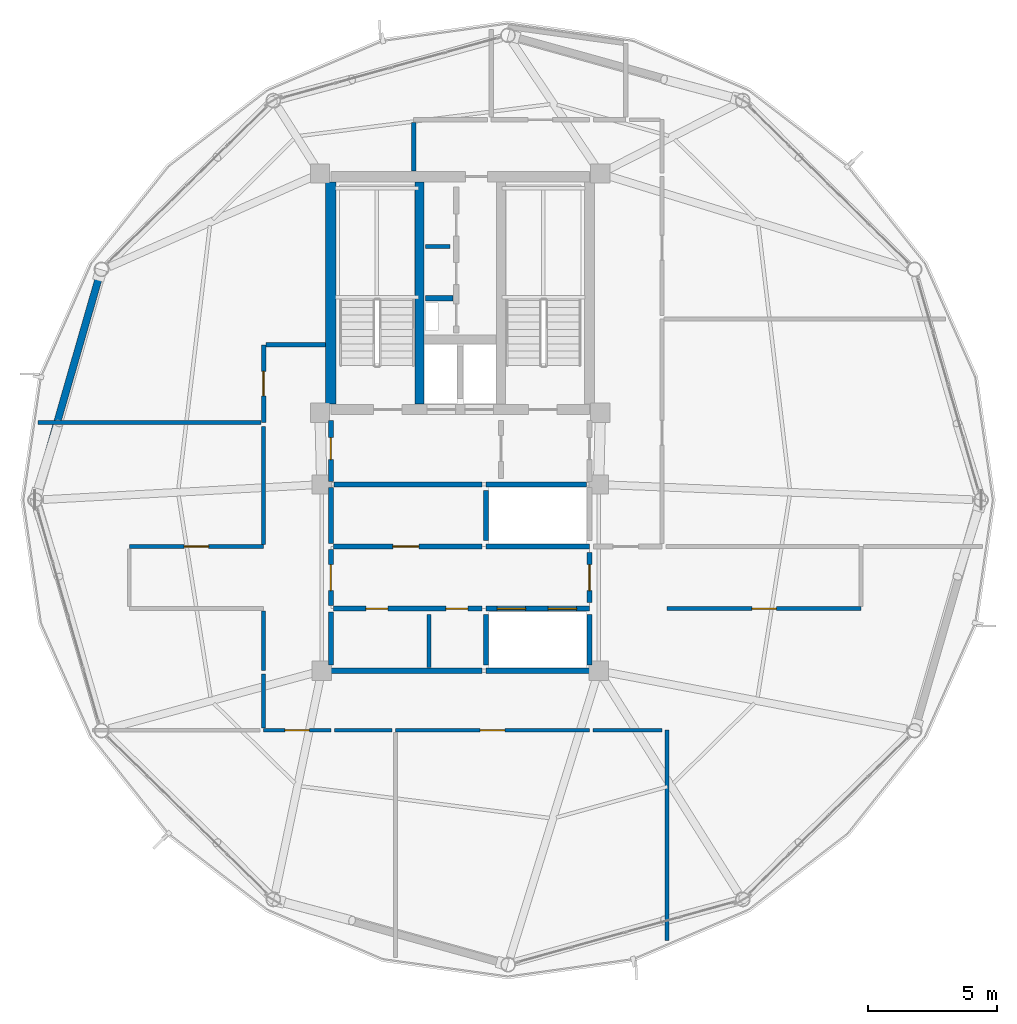
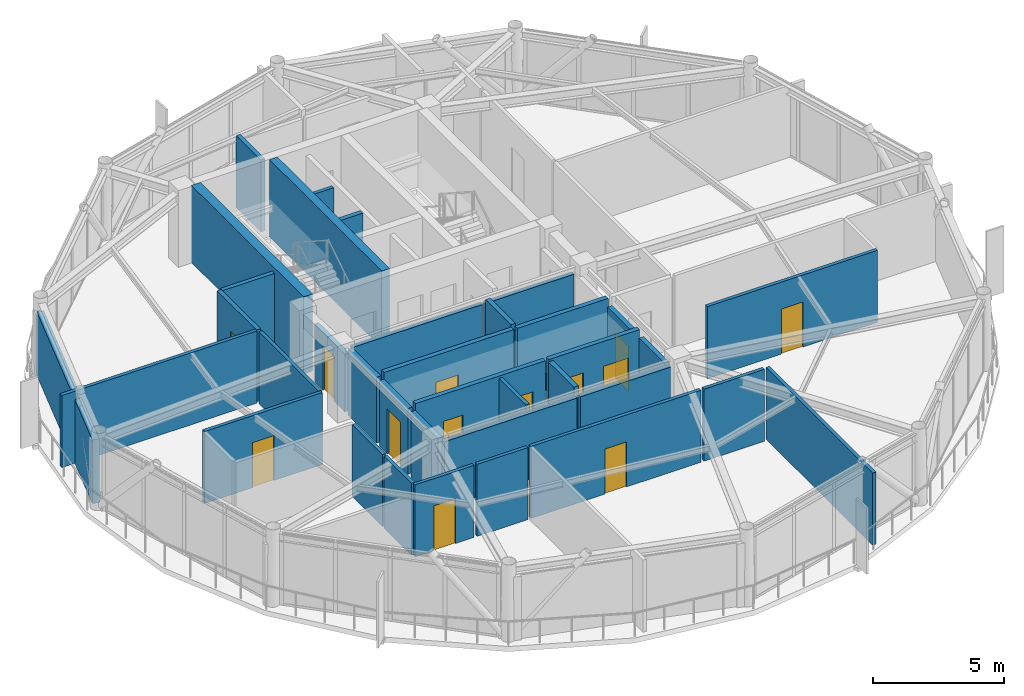
# One storey, part 20 of 25: 36 walls, 13 doors, 13 openings.
"""IFC4 building model written with IfcOpenShell, lengths in metres."""

from ifc_helpers import new_model, si_unit, direction, frame, frame_2d, origin, place, context, subcontext, project, spatial, rectangle, extrude, material, layer, layer_set, type_object, element, fill, save


model = new_model("IFC4")

# Units and contexts
model_context = context("Model", 3, precision=1e-05, world=origin(), true_north=direction((0.0, 1.0)))
body_context = subcontext(model_context, "Body", "Model", "MODEL_VIEW")
ifc_project = project(units=[si_unit("LENGTHUNIT", "METRE"), si_unit("AREAUNIT", "SQUARE_METRE"), si_unit("VOLUMEUNIT", "CUBIC_METRE"), si_unit("PLANEANGLEUNIT", "RADIAN"), si_unit("MASSUNIT", "GRAM", prefix="KILO")], contexts=[model_context])

# Site, building, storey
site_placement = place(None, origin())
site = spatial("IfcSite", under=ifc_project, at=site_placement, CompositionType="ELEMENT")
building_placement = place(site_placement, origin())
building = spatial("IfcBuilding", under=site, at=building_placement, Name="Varnakorn Sky Granary", CompositionType="ELEMENT")
storey_placement = place(building_placement, frame((0.0, 0.0, 259.800048828125)))
storey = spatial("IfcBuildingStorey", under=building, at=storey_placement, Name="L66", CompositionType="ELEMENT", Elevation=259.800048828125)

# Walls
ifc_material_1 = material(Name="Concrete C50/60", Category="concrete")
ifc_layer_1 = layer(ifc_material_1, 0.35009765625, Name="Concrete C50/60")
ifc_layer_set_1 = layer_set([ifc_layer_1], Name="Concrete C50/60")
wall_type_1 = type_object("IfcWallType", Name="WT-CW-INT-350", PredefinedType="SHEAR", material=ifc_layer_set_1)
wall_1_placement = place(storey_placement, frame((1.419921875, 3.7099609375, 0.0), z_axis=(0.0, 0.0, 1.0), x_axis=(0.0, 1.0, 0.0)))
element("IfcWall", 1, at=wall_1_placement, inside=storey, type_object=wall_type_1, Name="Stair ST-1 Core Wall L66", PredefinedType="SHEAR", context=body_context, shape_type="SweptSolid", body=[
    extrude(rectangle(XDim=8.580078125, YDim=0.35009765625, at=frame_2d((4.2900390625, 0.0))), origin(), (0.0, 0.0, 1.0), 3.592041015625),
])
ifc_layer_2 = layer(ifc_material_1, 0.39990234375, Name="Concrete C50/60")
ifc_layer_set_2 = layer_set([ifc_layer_2], Name="Concrete C50/60")
wall_type_2 = type_object("IfcWallType", Name="WT-CW-SHEAR-400", PredefinedType="SHEAR", material=ifc_layer_set_2)
wall_2_placement = place(storey_placement, frame((-2.0, 3.7099609375, 0.0), z_axis=(0.0, 0.0, 1.0), x_axis=(0.0, 1.0, 0.0)))
element("IfcWall", 2, at=wall_2_placement, inside=storey, type_object=wall_type_2, Name="Core West Shear Wall L66", PredefinedType="SHEAR", context=body_context, shape_type="SweptSolid", body=[
    extrude(rectangle(XDim=8.580078125, YDim=0.39990234375, at=frame_2d((4.2900390625, 0.0))), origin(), (0.0, 0.0, 1.0), 3.592041015625),
])
ifc_material_2 = material(Name="Precast concrete C40/50", Category="concrete")
ifc_layer_3 = layer(ifc_material_2, 0.280029296875, Name="Precast concrete C40/50")
ifc_layer_set_3 = layer_set([ifc_layer_3], Name="Precast concrete C40/50")
wall_type_3 = type_object("IfcWallType", Name="WT-EW-CRN-280", PredefinedType="SOLIDWALL", material=ifc_layer_set_3)
wall_3_placement = place(storey_placement, frame((-13.377197265625, 0.225341796875, 0.0), z_axis=(0.0, 0.0, 1.0), x_axis=(0.27668936902, 0.960959412812, 0.0)))
element("IfcWall", 3, at=wall_3_placement, inside=storey, type_object=wall_type_3, Name="Agritech Insulated Precast Facade Wall L66-P06", PredefinedType="SOLIDWALL", context=body_context, shape_type="SweptSolid", body=[
    extrude(rectangle(XDim=8.811279296875, YDim=0.280029296875, at=frame_2d((4.40576171875, 0.0))), origin(), (0.0, 0.0, 1.0), 2.969970703125),
])

# Wall, opening, door
ifc_material_3 = material(Name="Autoclaved Aerated Concrete Blockwork", Category="masonry")
ifc_layer_4 = layer(ifc_material_3, 0.199951171875, Name="Autoclaved Aerated Concrete Blockwork")
ifc_layer_set_4 = layer_set([ifc_layer_4], Name="Autoclaved Aerated Concrete Blockwork")
wall_type_4 = type_object("IfcWallType", Name="WT-FIRE-200", PredefinedType="MOVABLE", material=ifc_layer_set_4)
wall_4_placement = place(storey_placement, frame((-2.0, 0.719970703125, 0.0), z_axis=(0.0, 0.0, 1.0), x_axis=(0.0, 1.0, 0.0)))
wall_4 = element("IfcWall", 4, at=wall_4_placement, inside=storey, type_object=wall_type_4, Name="Interior Partition Wall L66-013", PredefinedType="MOVABLE", context=body_context, shape_type="SweptSolid", body=[
    extrude(rectangle(XDim=2.35009765625, YDim=0.199951171875, at=frame_2d((1.175048828125, 0.0))), origin(), (0.0, 0.0, 1.0), 2.69189453125),
])
opening_1_placement = place(wall_4_placement, frame((0.844970703125, 0.0, 0.0)))
opening_1 = element("IfcOpeningElement", 5, at=opening_1_placement, cuts=wall_4, Name="Opening FD-60N", PredefinedType="OPENING", context=body_context, shape_type="SweptSolid", body=[
    extrude(rectangle(XDim=0.85009765625, YDim=2.10009765625, at=frame_2d((0.425048828125, 1.050048828125))), frame((0.0, 0.10986328125, 0.0), z_axis=(0.0, -1.0, 0.0), x_axis=(1.0, 0.0, 0.0)), (0.0, 0.0, 1.0), 0.219970703125),
])
ifc_material_4 = material(Name="Acoustic Timber Fire Leaf", Category="wood")
door_type_1 = type_object("IfcDoorType", Name="DR-FD60-850", OperationType="NOTDEFINED", PredefinedType="DOOR", material=ifc_material_4)
door_1_placement = place(opening_1_placement, origin())
door_1 = element("IfcDoor", 6, at=door_1_placement, inside=storey, type_object=door_type_1, Name="Interior Door L66-013-1", OperationType="SINGLE_SWING_RIGHT", OverallHeight=2.10009765625, OverallWidth=0.85009765625, PredefinedType="DOOR", context=body_context, shape_type="SweptSolid", body=[
    extrude(rectangle(XDim=0.85009765625, YDim=2.10009765625, at=frame_2d((0.425048828125, 1.050048828125))), frame((0.0, 0.02490234375, 0.0), z_axis=(0.0, -1.0, 0.0), x_axis=(1.0, 0.0, 0.0)), (0.0, 0.0, 1.0), 0.050048828125),
])
fill(opening_1, door_1)

wall_5_placement = place(storey_placement, frame((-2.0, -4.080078125, 0.0), z_axis=(0.0, 0.0, 1.0), x_axis=(0.0, 1.0, 0.0)))
wall_5 = element("IfcWall", 7, at=wall_5_placement, inside=storey, type_object=wall_type_4, Name="Interior Partition Wall L66-015", PredefinedType="MOVABLE", context=body_context, shape_type="SweptSolid", body=[
    extrude(rectangle(XDim=2.16015625, YDim=0.199951171875, at=frame_2d((1.080078125, 0.0))), origin(), (0.0, 0.0, 1.0), 3.072021484375),
])
opening_2_placement = place(wall_5_placement, frame((0.580078125, 0.0, 0.0)))
opening_2 = element("IfcOpeningElement", 8, at=opening_2_placement, cuts=wall_5, Name="Opening FD-60", PredefinedType="OPENING", context=body_context, shape_type="SweptSolid", body=[
    extrude(rectangle(XDim=1.0, YDim=2.10009765625, at=frame_2d((0.5, 1.050048828125))), frame((0.0, 0.10986328125, 0.0), z_axis=(0.0, -1.0, 0.0), x_axis=(1.0, 0.0, 0.0)), (0.0, 0.0, 1.0), 0.219970703125),
])
door_type_2 = type_object("IfcDoorType", Name="DR-FD60-1000", OperationType="NOTDEFINED", PredefinedType="DOOR", material=ifc_material_4)
door_2_placement = place(opening_2_placement, origin())
door_2 = element("IfcDoor", 9, at=door_2_placement, inside=storey, type_object=door_type_2, Name="Interior Door L66-015-1", OperationType="SINGLE_SWING_RIGHT", OverallHeight=2.10009765625, OverallWidth=1.0, PredefinedType="DOOR", context=body_context, shape_type="SweptSolid", body=[
    extrude(rectangle(XDim=1.0, YDim=2.10009765625, at=frame_2d((0.5, 1.050048828125))), frame((0.0, 0.02490234375, 0.0), z_axis=(0.0, -1.0, 0.0), x_axis=(1.0, 0.0, 0.0)), (0.0, 0.0, 1.0), 0.050048828125),
])
fill(opening_2, door_2)

wall_6_placement = place(storey_placement, frame((8.0, -3.969970703125, 0.0), z_axis=(0.0, 0.0, 1.0), x_axis=(0.0, 1.0, 0.0)))
wall_6 = element("IfcWall", 10, at=wall_6_placement, inside=storey, type_object=wall_type_4, Name="Interior Partition Wall L66-016", PredefinedType="MOVABLE", context=body_context, shape_type="SweptSolid", body=[
    extrude(rectangle(XDim=1.93994140625, YDim=0.199951171875, at=frame_2d((0.969970703125, 0.0))), origin(), (0.0, 0.0, 1.0), 3.072021484375),
])
opening_3_placement = place(wall_6_placement, frame((0.469970703125, 0.0, 0.0)))
opening_3 = element("IfcOpeningElement", 11, at=opening_3_placement, cuts=wall_6, Name="Opening FD-60", PredefinedType="OPENING", context=body_context, shape_type="SweptSolid", body=[
    extrude(rectangle(XDim=1.0, YDim=2.10009765625, at=frame_2d((0.5, 1.050048828125))), frame((0.0, 0.10986328125, 0.0), z_axis=(0.0, -1.0, 0.0), x_axis=(1.0, 0.0, 0.0)), (0.0, 0.0, 1.0), 0.219970703125),
])
door_3_placement = place(opening_3_placement, origin())
door_3 = element("IfcDoor", 12, at=door_3_placement, inside=storey, type_object=door_type_2, Name="Interior Door L66-016-1", OperationType="SINGLE_SWING_LEFT", OverallHeight=2.10009765625, OverallWidth=1.0, PredefinedType="DOOR", context=body_context, shape_type="SweptSolid", body=[
    extrude(rectangle(XDim=1.0, YDim=2.10009765625, at=frame_2d((0.5, 1.050048828125))), frame((0.0, 0.02490234375, 0.0), z_axis=(0.0, -1.0, 0.0), x_axis=(1.0, 0.0, 0.0)), (0.0, 0.0, 1.0), 0.050048828125),
])
fill(opening_3, door_3)

wall_7_placement = place(storey_placement, frame((-1.889892578125, -1.800048828125, 0.0), z_axis=(0.0, 0.0, 1.0), x_axis=(1.0, 0.0, 0.0)))
wall_7 = element("IfcWall", 13, at=wall_7_placement, inside=storey, type_object=wall_type_4, Name="Interior Partition Wall L66-017", PredefinedType="MOVABLE", context=body_context, shape_type="SweptSolid", body=[
    extrude(rectangle(XDim=5.72998046875, YDim=0.199951171875, at=frame_2d((2.864990234375, 0.0))), origin(), (0.0, 0.0, 1.0), 3.35986328125),
])
opening_4_placement = place(wall_7_placement, frame((2.2900390625, 0.0, 0.0)))
opening_4 = element("IfcOpeningElement", 14, at=opening_4_placement, cuts=wall_7, Name="Opening FD-60", PredefinedType="OPENING", context=body_context, shape_type="SweptSolid", body=[
    extrude(rectangle(XDim=1.0, YDim=2.10009765625, at=frame_2d((0.5, 1.050048828125))), frame((0.0, 0.10986328125, 0.0), z_axis=(0.0, -1.0, 0.0), x_axis=(1.0, 0.0, 0.0)), (0.0, 0.0, 1.0), 0.219970703125),
])
door_4_placement = place(opening_4_placement, origin())
door_4 = element("IfcDoor", 15, at=door_4_placement, inside=storey, type_object=door_type_2, Name="Interior Door L66-017-1", OperationType="SINGLE_SWING_RIGHT", OverallHeight=2.10009765625, OverallWidth=1.0, PredefinedType="DOOR", context=body_context, shape_type="SweptSolid", body=[
    extrude(rectangle(XDim=1.0, YDim=2.10009765625, at=frame_2d((0.5, 1.050048828125))), frame((0.0, 0.02490234375, 0.0), z_axis=(0.0, -1.0, 0.0), x_axis=(1.0, 0.0, 0.0)), (0.0, 0.0, 1.0), 0.050048828125),
])
fill(opening_4, door_4)

# Wall, openings, doors
wall_8_placement = place(storey_placement, frame((-1.889892578125, -4.199951171875, 0.0), z_axis=(0.0, 0.0, 1.0), x_axis=(1.0, 0.0, 0.0)))
wall_8 = element("IfcWall", 16, at=wall_8_placement, inside=storey, type_object=wall_type_4, Name="Interior Partition Wall L66-018", PredefinedType="MOVABLE", context=body_context, shape_type="SweptSolid", body=[
    extrude(rectangle(XDim=5.72998046875, YDim=0.199951171875, at=frame_2d((2.864990234375, 0.0))), origin(), (0.0, 0.0, 1.0), 3.35986328125),
])
opening_5_placement = place(wall_8_placement, frame((1.239990234375, 0.0, 0.0)))
opening_5 = element("IfcOpeningElement", 17, at=opening_5_placement, cuts=wall_8, Name="Opening FD-60N", PredefinedType="OPENING", context=body_context, shape_type="SweptSolid", body=[
    extrude(rectangle(XDim=0.85009765625, YDim=2.10009765625, at=frame_2d((0.425048828125, 1.050048828125))), frame((0.0, 0.10986328125, 0.0), z_axis=(0.0, -1.0, 0.0), x_axis=(1.0, 0.0, 0.0)), (0.0, 0.0, 1.0), 0.219970703125),
])
opening_6_placement = place(wall_8_placement, frame((4.340087890625, 0.0, 0.0)))
opening_6 = element("IfcOpeningElement", 18, at=opening_6_placement, cuts=wall_8, Name="Opening FD-60N", PredefinedType="OPENING", context=body_context, shape_type="SweptSolid", body=[
    extrude(rectangle(XDim=0.85009765625, YDim=2.10009765625, at=frame_2d((0.425048828125, 1.050048828125))), frame((0.0, 0.10986328125, 0.0), z_axis=(0.0, -1.0, 0.0), x_axis=(1.0, 0.0, 0.0)), (0.0, 0.0, 1.0), 0.219970703125),
])
door_5_placement = place(opening_5_placement, origin())
door_5 = element("IfcDoor", 19, at=door_5_placement, inside=storey, type_object=door_type_1, Name="Interior Door L66-018-1", OperationType="SINGLE_SWING_LEFT", OverallHeight=2.10009765625, OverallWidth=0.85009765625, PredefinedType="DOOR", context=body_context, shape_type="SweptSolid", body=[
    extrude(rectangle(XDim=0.85009765625, YDim=2.10009765625, at=frame_2d((0.425048828125, 1.050048828125))), frame((0.0, 0.02490234375, 0.0), z_axis=(0.0, -1.0, 0.0), x_axis=(1.0, 0.0, 0.0)), (0.0, 0.0, 1.0), 0.050048828125),
])
fill(opening_5, door_5)
door_6_placement = place(opening_6_placement, origin())
door_6 = element("IfcDoor", 20, at=door_6_placement, inside=storey, type_object=door_type_1, Name="Interior Door L66-018-2", OperationType="SINGLE_SWING_RIGHT", OverallHeight=2.10009765625, OverallWidth=0.85009765625, PredefinedType="DOOR", context=body_context, shape_type="SweptSolid", body=[
    extrude(rectangle(XDim=0.85009765625, YDim=2.10009765625, at=frame_2d((0.425048828125, 1.050048828125))), frame((0.0, 0.02490234375, 0.0), z_axis=(0.0, -1.0, 0.0), x_axis=(1.0, 0.0, 0.0)), (0.0, 0.0, 1.0), 0.050048828125),
])
fill(opening_6, door_6)

# Walls
wall_9_placement = place(storey_placement, frame((-1.8798828125, 0.60009765625, 0.0), z_axis=(0.0, 0.0, 1.0), x_axis=(1.0, 0.0, 0.0)))
element("IfcWall", 21, at=wall_9_placement, inside=storey, type_object=wall_type_4, Name="Interior Partition Wall L66-029", PredefinedType="MOVABLE", context=body_context, shape_type="SweptSolid", body=[
    extrude(rectangle(XDim=5.719970703125, YDim=0.199951171875, at=frame_2d((2.85986328125, 0.0))), origin(), (0.0, 0.0, 1.0), 3.072021484375),
])
wall_10_placement = place(storey_placement, frame((-2.0, -1.679931640625, 0.0), z_axis=(0.0, 0.0, 1.0), x_axis=(0.0, 1.0, 0.0)))
element("IfcWall", 22, at=wall_10_placement, inside=storey, type_object=wall_type_4, Name="Interior Partition Wall L66-030", PredefinedType="MOVABLE", context=body_context, shape_type="SweptSolid", body=[
    extrude(rectangle(XDim=2.159912109375, YDim=0.199951171875, at=frame_2d((1.080078125, 0.0))), origin(), (0.0, 0.0, 1.0), 3.072021484375),
])
wall_11_placement = place(storey_placement, frame((-2.0, -6.60009765625, 0.0), z_axis=(0.0, 0.0, 1.0), x_axis=(1.0, 0.0, 0.0)))
element("IfcWall", 23, at=wall_11_placement, inside=storey, type_object=wall_type_4, Name="Interior Partition Wall L66-032", PredefinedType="MOVABLE", context=body_context, shape_type="SweptSolid", body=[
    extrude(rectangle(XDim=5.840087890625, YDim=0.199951171875, at=frame_2d((2.919921875, 0.0))), origin(), (0.0, 0.0, 1.0), 3.072021484375),
])
wall_12_placement = place(storey_placement, frame((-2.0, -6.3701171875, 0.0), z_axis=(0.0, 0.0, 1.0), x_axis=(0.0, 1.0, 0.0)))
element("IfcWall", 24, at=wall_12_placement, inside=storey, type_object=wall_type_4, Name="Interior Partition Wall L66-033", PredefinedType="MOVABLE", context=body_context, shape_type="SweptSolid", body=[
    extrude(rectangle(XDim=2.050048828125, YDim=0.199951171875, at=frame_2d((1.02490234375, 0.0))), origin(), (0.0, 0.0, 1.0), 3.072021484375),
])

# Wall, opening, door
ifc_material_5 = material(Name="Gypsum Plasterboard on Steel Stud", Category="steel")
ifc_layer_5 = layer(ifc_material_5, 0.14990234375, Name="Gypsum Plasterboard on Steel Stud")
ifc_layer_set_5 = layer_set([ifc_layer_5], Name="Gypsum Plasterboard on Steel Stud")
wall_type_5 = type_object("IfcWallType", Name="WT-PART-150", PredefinedType="PARTITIONING", material=ifc_layer_set_5)
wall_13_placement = place(storey_placement, frame((-4.60009765625, -8.89990234375, 0.0), z_axis=(0.0, 0.0, 1.0), x_axis=(1.0, 0.0, 0.0)))
wall_13 = element("IfcWall", 25, at=wall_13_placement, inside=storey, type_object=wall_type_5, Name="Interior Partition Wall L66-021", PredefinedType="PARTITIONING", context=body_context, shape_type="SweptSolid", body=[
    extrude(rectangle(XDim=2.60009765625, YDim=0.14990234375, at=frame_2d((1.300048828125, 0.0))), origin(), (0.0, 0.0, 1.0), 3.35986328125),
])
opening_7_placement = place(wall_13_placement, frame((0.824951171875, 0.0, 0.0)))
opening_7 = element("IfcOpeningElement", 26, at=opening_7_placement, cuts=wall_13, Name="Opening ID-95", PredefinedType="OPENING", context=body_context, shape_type="SweptSolid", body=[
    extrude(rectangle(XDim=0.949951171875, YDim=2.10009765625, at=frame_2d((0.47509765625, 1.050048828125))), frame((0.0, 0.0849609375, 0.0), z_axis=(0.0, -1.0, 0.0), x_axis=(1.0, 0.0, 0.0)), (0.0, 0.0, 1.0), 0.169921875),
])
ifc_material_6 = material(Name="Solid-Core Teak Veneer Leaf", Category="timber")
door_type_3 = type_object("IfcDoorType", Name="DR-INT-950", OperationType="NOTDEFINED", PredefinedType="DOOR", material=ifc_material_6)
door_7_placement = place(opening_7_placement, origin())
door_7 = element("IfcDoor", 27, at=door_7_placement, inside=storey, type_object=door_type_3, Name="Interior Door L66-021-1", OperationType="SINGLE_SWING_LEFT", OverallHeight=2.10009765625, OverallWidth=0.949951171875, PredefinedType="DOOR", context=body_context, shape_type="SweptSolid", body=[
    extrude(rectangle(XDim=0.949951171875, YDim=2.10009765625, at=frame_2d((0.47509765625, 1.050048828125))), frame((0.0, 0.02490234375, 0.0), z_axis=(0.0, -1.0, 0.0), x_axis=(1.0, 0.0, 0.0)), (0.0, 0.0, 1.0), 0.050048828125),
])
fill(opening_7, door_7)

wall_14_placement = place(storey_placement, frame((0.5, -8.89990234375, 0.0), z_axis=(0.0, 0.0, 1.0), x_axis=(1.0, 0.0, 0.0)))
wall_14 = element("IfcWall", 28, at=wall_14_placement, inside=storey, type_object=wall_type_5, Name="Interior Partition Wall L66-022", PredefinedType="PARTITIONING", context=body_context, shape_type="SweptSolid", body=[
    extrude(rectangle(XDim=7.5, YDim=0.14990234375, at=frame_2d((3.75, 0.0))), origin(), (0.0, 0.0, 1.0), 3.35986328125),
])
opening_8_placement = place(wall_14_placement, frame((3.27490234375, 0.0, 0.0)))
opening_8 = element("IfcOpeningElement", 29, at=opening_8_placement, cuts=wall_14, Name="Opening ID-95", PredefinedType="OPENING", context=body_context, shape_type="SweptSolid", body=[
    extrude(rectangle(XDim=0.949951171875, YDim=2.10009765625, at=frame_2d((0.47509765625, 1.050048828125))), frame((0.0, 0.0849609375, 0.0), z_axis=(0.0, -1.0, 0.0), x_axis=(1.0, 0.0, 0.0)), (0.0, 0.0, 1.0), 0.169921875),
])
door_8_placement = place(opening_8_placement, origin())
door_8 = element("IfcDoor", 30, at=door_8_placement, inside=storey, type_object=door_type_3, Name="Interior Door L66-022-1", OperationType="SINGLE_SWING_RIGHT", OverallHeight=2.10009765625, OverallWidth=0.949951171875, PredefinedType="DOOR", context=body_context, shape_type="SweptSolid", body=[
    extrude(rectangle(XDim=0.949951171875, YDim=2.10009765625, at=frame_2d((0.47509765625, 1.050048828125))), frame((0.0, 0.02490234375, 0.0), z_axis=(0.0, -1.0, 0.0), x_axis=(1.0, 0.0, 0.0)), (0.0, 0.0, 1.0), 0.050048828125),
])
fill(opening_8, door_8)

wall_15_placement = place(storey_placement, frame((11.0, -4.199951171875, 0.0), z_axis=(0.0, 0.0, 1.0), x_axis=(1.0, 0.0, 0.0)))
wall_15 = element("IfcWall", 31, at=wall_15_placement, inside=storey, type_object=wall_type_5, Name="Interior Partition Wall L66-023", PredefinedType="PARTITIONING", context=body_context, shape_type="SweptSolid", body=[
    extrude(rectangle(XDim=7.5, YDim=0.14990234375, at=frame_2d((3.75, 0.0))), origin(), (0.0, 0.0, 1.0), 3.35986328125),
])
opening_9_placement = place(wall_15_placement, frame((3.27490234375, 0.0, 0.0)))
opening_9 = element("IfcOpeningElement", 32, at=opening_9_placement, cuts=wall_15, Name="Opening ID-95", PredefinedType="OPENING", context=body_context, shape_type="SweptSolid", body=[
    extrude(rectangle(XDim=0.949951171875, YDim=2.10009765625, at=frame_2d((0.47509765625, 1.050048828125))), frame((0.0, 0.0849609375, 0.0), z_axis=(0.0, -1.0, 0.0), x_axis=(1.0, 0.0, 0.0)), (0.0, 0.0, 1.0), 0.169921875),
])
door_9_placement = place(opening_9_placement, origin())
door_9 = element("IfcDoor", 33, at=door_9_placement, inside=storey, type_object=door_type_3, Name="Interior Door L66-023-1", OperationType="SINGLE_SWING_LEFT", OverallHeight=2.10009765625, OverallWidth=0.949951171875, PredefinedType="DOOR", context=body_context, shape_type="SweptSolid", body=[
    extrude(rectangle(XDim=0.949951171875, YDim=2.10009765625, at=frame_2d((0.47509765625, 1.050048828125))), frame((0.0, 0.02490234375, 0.0), z_axis=(0.0, -1.0, 0.0), x_axis=(1.0, 0.0, 0.0)), (0.0, 0.0, 1.0), 0.050048828125),
])
fill(opening_9, door_9)

wall_16_placement = place(storey_placement, frame((-4.60009765625, -1.800048828125, 0.0), z_axis=(0.0, 0.0, 1.0), x_axis=(-1.0, 0.0, 0.0)))
wall_16 = element("IfcWall", 34, at=wall_16_placement, inside=storey, type_object=wall_type_5, Name="Interior Partition Wall L66-024", PredefinedType="PARTITIONING", context=body_context, shape_type="SweptSolid", body=[
    extrude(rectangle(XDim=5.19189453125, YDim=0.14990234375, at=frame_2d((2.595947265625, 0.0))), origin(), (0.0, 0.0, 1.0), 3.35986328125),
])
opening_10_placement = place(wall_16_placement, frame((2.12109375, 0.0, 0.0)))
opening_10 = element("IfcOpeningElement", 35, at=opening_10_placement, cuts=wall_16, Name="Opening ID-95", PredefinedType="OPENING", context=body_context, shape_type="SweptSolid", body=[
    extrude(rectangle(XDim=0.949951171875, YDim=2.10009765625, at=frame_2d((0.47509765625, 1.050048828125))), frame((0.0, 0.0849609375, 0.0), z_axis=(0.0, -1.0, 0.0), x_axis=(1.0, 0.0, 0.0)), (0.0, 0.0, 1.0), 0.169921875),
])
door_10_placement = place(opening_10_placement, origin())
door_10 = element("IfcDoor", 36, at=door_10_placement, inside=storey, type_object=door_type_3, Name="Interior Door L66-024-1", OperationType="SINGLE_SWING_RIGHT", OverallHeight=2.10009765625, OverallWidth=0.949951171875, PredefinedType="DOOR", context=body_context, shape_type="SweptSolid", body=[
    extrude(rectangle(XDim=0.949951171875, YDim=2.10009765625, at=frame_2d((0.47509765625, 1.050048828125))), frame((0.0, 0.02490234375, 0.0), z_axis=(0.0, -1.0, 0.0), x_axis=(1.0, 0.0, 0.0)), (0.0, 0.0, 1.0), 0.050048828125),
])
fill(opening_10, door_10)

# Walls
wall_17_placement = place(storey_placement, frame((1.64990234375, 9.800048828125, 0.0), z_axis=(0.0, 0.0, 1.0), x_axis=(1.0, 0.0, 0.0)))
element("IfcWall", 37, at=wall_17_placement, inside=storey, type_object=wall_type_5, Name="Interior Partition Wall L66-028", PredefinedType="PARTITIONING", context=body_context, shape_type="SweptSolid", body=[
    extrude(rectangle(XDim=0.960205078125, YDim=0.14990234375, at=frame_2d((0.47998046875, 0.0))), origin(), (0.0, 0.0, 1.0), 3.35986328125),
])
wall_18_placement = place(storey_placement, frame((1.800048828125, -6.47998046875, 0.0), z_axis=(0.0, 0.0, 1.0), x_axis=(0.0, 1.0, 0.0)))
element("IfcWall", 38, at=wall_18_placement, inside=storey, type_object=wall_type_5, Name="Interior Partition Wall L66-031", PredefinedType="PARTITIONING", context=body_context, shape_type="SweptSolid", body=[
    extrude(rectangle(XDim=2.050048828125, YDim=0.14990234375, at=frame_2d((1.02490234375, 0.0))), origin(), (0.0, 0.0, 1.0), 3.35986328125),
])
wall_19_placement = place(storey_placement, frame((-1.864990234375, -8.89990234375, 0.0), z_axis=(0.0, 0.0, 1.0), x_axis=(1.0, 0.0, 0.0)))
element("IfcWall", 39, at=wall_19_placement, inside=storey, type_object=wall_type_5, Name="Interior Partition Wall L66-035", PredefinedType="PARTITIONING", context=body_context, shape_type="SweptSolid", body=[
    extrude(rectangle(XDim=2.22998046875, YDim=0.14990234375, at=frame_2d((1.114990234375, 0.0))), origin(), (0.0, 0.0, 1.0), 3.35986328125),
])
wall_20_placement = place(storey_placement, frame((8.135009765625, -8.89990234375, 0.0), z_axis=(0.0, 0.0, 1.0), x_axis=(1.0, 0.0, 0.0)))
element("IfcWall", 40, at=wall_20_placement, inside=storey, type_object=wall_type_5, Name="Interior Partition Wall L66-038", PredefinedType="PARTITIONING", context=body_context, shape_type="SweptSolid", body=[
    extrude(rectangle(XDim=2.6650390625, YDim=0.14990234375, at=frame_2d((1.33251953125, 0.0))), origin(), (0.0, 0.0, 1.0), 3.35986328125),
])
wall_21_placement = place(storey_placement, frame((11.0, -8.89990234375, 0.0), z_axis=(0.0, 0.0, 1.0), x_axis=(0.0, -1.0, 0.0)))
element("IfcWall", 41, at=wall_21_placement, inside=storey, type_object=wall_type_5, Name="Interior Partition Wall L66-039", PredefinedType="PARTITIONING", context=body_context, shape_type="SweptSolid", body=[
    extrude(rectangle(XDim=8.13720703125, YDim=0.14990234375, at=frame_2d((4.068603515625, 0.0))), origin(), (0.0, 0.0, 1.0), 3.35986328125),
])
wall_22_placement = place(storey_placement, frame((-4.60009765625, 2.85009765625, 0.0), z_axis=(0.0, 0.0, 1.0), x_axis=(0.0, -1.0, 0.0)))
element("IfcWall", 42, at=wall_22_placement, inside=storey, type_object=wall_type_5, Name="Interior Partition Wall L66-043", PredefinedType="PARTITIONING", context=body_context, shape_type="SweptSolid", body=[
    extrude(rectangle(XDim=4.565185546875, YDim=0.14990234375, at=frame_2d((2.28271484375, 0.0))), origin(), (0.0, 0.0, 1.0), 3.35986328125),
])
wall_23_placement = place(storey_placement, frame((-4.60009765625, -4.284912109375, 0.0), z_axis=(0.0, 0.0, 1.0), x_axis=(0.0, -1.0, 0.0)))
element("IfcWall", 43, at=wall_23_placement, inside=storey, type_object=wall_type_5, Name="Interior Partition Wall L66-045", PredefinedType="PARTITIONING", context=body_context, shape_type="SweptSolid", body=[
    extrude(rectangle(XDim=2.315185546875, YDim=0.14990234375, at=frame_2d((1.15771484375, 0.0))), origin(), (0.0, 0.0, 1.0), 3.35986328125),
])
wall_24_placement = place(storey_placement, frame((-4.60009765625, -6.735107421875, 0.0), z_axis=(0.0, 0.0, 1.0), x_axis=(0.0, -1.0, 0.0)))
element("IfcWall", 44, at=wall_24_placement, inside=storey, type_object=wall_type_5, Name="Interior Partition Wall L66-046", PredefinedType="PARTITIONING", context=body_context, shape_type="SweptSolid", body=[
    extrude(rectangle(XDim=2.079833984375, YDim=0.14990234375, at=frame_2d((1.0400390625, 0.0))), origin(), (0.0, 0.0, 1.0), 3.35986328125),
])
wall_25_placement = place(storey_placement, frame((-13.321044921875, 3.0, 0.0), z_axis=(0.0, 0.0, 1.0), x_axis=(1.0, 0.0, 0.0)))
element("IfcWall", 45, at=wall_25_placement, inside=storey, type_object=wall_type_5, Name="Interior Partition Wall L66-047", PredefinedType="PARTITIONING", context=body_context, shape_type="SweptSolid", body=[
    extrude(rectangle(XDim=8.62109375, YDim=0.14990234375, at=frame_2d((4.310546875, 0.0))), origin(), (0.0, 0.0, 1.0), 3.35986328125),
])

# Wall, opening, door
ifc_material_7 = material(Name="Moisture-Resistant Gypsum on Stud", Category="gypsum")
ifc_layer_6 = layer(ifc_material_7, 0.179931640625, Name="Moisture-Resistant Gypsum on Stud")
ifc_layer_set_6 = layer_set([ifc_layer_6], Name="Moisture-Resistant Gypsum on Stud")
wall_type_6 = type_object("IfcWallType", Name="WT-PLUMB-180", PredefinedType="PLUMBINGWALL", material=ifc_layer_set_6)
wall_26_placement = place(storey_placement, frame((-4.60009765625, 6.0, 0.0), z_axis=(0.0, 0.0, 1.0), x_axis=(0.0, -1.0, 0.0)))
wall_26 = element("IfcWall", 46, at=wall_26_placement, inside=storey, type_object=wall_type_6, Name="Interior Partition Wall L66-025", PredefinedType="PLUMBINGWALL", context=body_context, shape_type="SweptSolid", body=[
    extrude(rectangle(XDim=3.0, YDim=0.179931640625, at=frame_2d((1.5, 0.0))), origin(), (0.0, 0.0, 1.0), 3.35986328125),
])
opening_11_placement = place(wall_26_placement, frame((1.02490234375, 0.0, 0.0)))
opening_11 = element("IfcOpeningElement", 47, at=opening_11_placement, cuts=wall_26, Name="Opening ID-95", PredefinedType="OPENING", context=body_context, shape_type="SweptSolid", body=[
    extrude(rectangle(XDim=0.949951171875, YDim=2.10009765625, at=frame_2d((0.47509765625, 1.050048828125))), frame((0.0, 0.10009765625, 0.0), z_axis=(0.0, -1.0, 0.0), x_axis=(1.0, 0.0, 0.0)), (0.0, 0.0, 1.0), 0.199951171875),
])
door_11_placement = place(opening_11_placement, origin())
door_11 = element("IfcDoor", 48, at=door_11_placement, inside=storey, type_object=door_type_3, Name="Interior Door L66-025-1", OperationType="SINGLE_SWING_LEFT", OverallHeight=2.10009765625, OverallWidth=0.949951171875, PredefinedType="DOOR", context=body_context, shape_type="SweptSolid", body=[
    extrude(rectangle(XDim=0.949951171875, YDim=2.10009765625, at=frame_2d((0.47509765625, 1.050048828125))), frame((0.0, 0.02490234375, 0.0), z_axis=(0.0, -1.0, 0.0), x_axis=(1.0, 0.0, 0.0)), (0.0, 0.0, 1.0), 0.050048828125),
])
fill(opening_11, door_11)

# Walls
wall_27_placement = place(storey_placement, frame((-2.2099609375, 6.0, 0.0), z_axis=(0.0, 0.0, 1.0), x_axis=(-1.0, 0.0, 0.0)))
element("IfcWall", 49, at=wall_27_placement, inside=storey, type_object=wall_type_6, Name="Interior Partition Wall L66-048", PredefinedType="PLUMBINGWALL", context=body_context, shape_type="SweptSolid", body=[
    extrude(rectangle(XDim=2.2900390625, YDim=0.179931640625, at=frame_2d((1.14501953125, 0.0))), origin(), (0.0, 0.0, 1.0), 3.35986328125),
])
wall_28_placement = place(storey_placement, frame((1.199951171875, 14.60009765625, 0.0), z_axis=(0.0, 0.0, 1.0), x_axis=(0.0, -1.0, 0.0)))
element("IfcWall", 50, at=wall_28_placement, inside=storey, type_object=wall_type_6, Name="Interior Partition Wall L66-050", PredefinedType="PLUMBINGWALL", context=body_context, shape_type="SweptSolid", body=[
    extrude(rectangle(XDim=1.89013671875, YDim=0.179931640625, at=frame_2d((0.945068359375, 0.0))), origin(), (0.0, 0.0, 1.0), 3.35986328125),
])
ifc_layer_7 = layer(ifc_material_3, 0.199951171875, Name="Autoclaved Aerated Concrete Blockwork")
ifc_layer_set_7 = layer_set([ifc_layer_7], Name="Autoclaved Aerated Concrete Blockwork")
wall_type_7 = type_object("IfcWallType", Name="WT-SHAFT-200", PredefinedType="SOLIDWALL", material=ifc_layer_set_7)
wall_29_placement = place(storey_placement, frame((1.64990234375, 7.800048828125, 0.0), z_axis=(0.0, 0.0, 1.0), x_axis=(1.0, 0.0, 0.0)))
element("IfcWall", 51, at=wall_29_placement, inside=storey, type_object=wall_type_7, Name="Interior Partition Wall L66-002", PredefinedType="SOLIDWALL", context=body_context, shape_type="SweptSolid", body=[
    extrude(rectangle(XDim=1.070068359375, YDim=0.199951171875, at=frame_2d((0.53515625, 0.0))), origin(), (0.0, 0.0, 1.0), 3.35986328125),
])
wall_30_placement = place(storey_placement, frame((4.0, 0.60009765625, 0.0), z_axis=(0.0, 0.0, 1.0), x_axis=(1.0, 0.0, 0.0)))
element("IfcWall", 52, at=wall_30_placement, inside=storey, type_object=wall_type_7, Name="Interior Partition Wall L66-003", PredefinedType="SOLIDWALL", context=body_context, shape_type="SweptSolid", body=[
    extrude(rectangle(XDim=3.8798828125, YDim=0.199951171875, at=frame_2d((1.93994140625, 0.0))), origin(), (0.0, 0.0, 1.0), 3.072021484375),
])
wall_31_placement = place(storey_placement, frame((4.0, -1.800048828125, 0.0), z_axis=(0.0, 0.0, 1.0), x_axis=(1.0, 0.0, 0.0)))
element("IfcWall", 53, at=wall_31_placement, inside=storey, type_object=wall_type_7, Name="Interior Partition Wall L66-004", PredefinedType="SOLIDWALL", context=body_context, shape_type="SweptSolid", body=[
    extrude(rectangle(XDim=4.0, YDim=0.199951171875, at=frame_2d((2.0, 0.0))), origin(), (0.0, 0.0, 1.0), 3.35986328125),
])
wall_32_placement = place(storey_placement, frame((4.0, -1.570068359375, 0.0), z_axis=(0.0, 0.0, 1.0), x_axis=(0.0, 1.0, 0.0)))
element("IfcWall", 54, at=wall_32_placement, inside=storey, type_object=wall_type_7, Name="Interior Partition Wall L66-005", PredefinedType="SOLIDWALL", context=body_context, shape_type="SweptSolid", body=[
    extrude(rectangle(XDim=1.940185546875, YDim=0.199951171875, at=frame_2d((0.97021484375, 0.0))), origin(), (0.0, 0.0, 1.0), 3.35986328125),
])

# Wall, openings, doors
wall_33_placement = place(storey_placement, frame((4.0, -4.199951171875, 0.0), z_axis=(0.0, 0.0, 1.0), x_axis=(1.0, 0.0, 0.0)))
wall_33 = element("IfcWall", 55, at=wall_33_placement, inside=storey, type_object=wall_type_7, Name="Interior Partition Wall L66-007", PredefinedType="SOLIDWALL", context=body_context, shape_type="SweptSolid", body=[
    extrude(rectangle(XDim=4.0, YDim=0.199951171875, at=frame_2d((2.0, 0.0))), origin(), (0.0, 0.0, 1.0), 3.35986328125),
])
opening_12_placement = place(wall_33_placement, frame((0.429931640625, 0.0, 0.0)))
opening_12 = element("IfcOpeningElement", 56, at=opening_12_placement, cuts=wall_33, Name="Opening LD-01", PredefinedType="OPENING", context=body_context, shape_type="SweptSolid", body=[
    extrude(rectangle(XDim=1.10009765625, YDim=2.199951171875, at=frame_2d((0.550048828125, 1.10009765625))), frame((0.0, 0.10986328125, 0.0), z_axis=(0.0, -1.0, 0.0), x_axis=(1.0, 0.0, 0.0)), (0.0, 0.0, 1.0), 0.219970703125),
])
opening_13_placement = place(wall_33_placement, frame((2.39990234375, 0.0, 0.0)))
opening_13 = element("IfcOpeningElement", 57, at=opening_13_placement, cuts=wall_33, Name="Opening LD-01", PredefinedType="OPENING", context=body_context, shape_type="SweptSolid", body=[
    extrude(rectangle(XDim=1.10009765625, YDim=2.199951171875, at=frame_2d((0.550048828125, 1.10009765625))), frame((0.0, 0.10986328125, 0.0), z_axis=(0.0, -1.0, 0.0), x_axis=(1.0, 0.0, 0.0)), (0.0, 0.0, 1.0), 0.219970703125),
])
ifc_material_8 = material(Name="Brushed Bronze Stainless Steel", Category="steel")
door_type_4 = type_object("IfcDoorType", Name="DR-LD-1100", OperationType="DOUBLE_DOOR_SLIDING", PredefinedType="DOOR", material=ifc_material_8)
door_12_placement = place(opening_12_placement, origin())
door_12 = element("IfcDoor", 58, at=door_12_placement, inside=storey, type_object=door_type_4, Name="Passenger Lift PL-H1 Sliding Landing Door L66", OperationType="DOUBLE_DOOR_SLIDING", OverallHeight=2.199951171875, OverallWidth=1.10009765625, PredefinedType="DOOR", context=body_context, shape_type="SweptSolid", body=[
    extrude(rectangle(XDim=1.10009765625, YDim=2.199951171875, at=frame_2d((0.550048828125, 1.10009765625))), frame((0.0, 0.02490234375, 0.0), z_axis=(0.0, -1.0, 0.0), x_axis=(1.0, 0.0, 0.0)), (0.0, 0.0, 1.0), 0.050048828125),
])
fill(opening_12, door_12)
door_13_placement = place(opening_13_placement, origin())
door_13 = element("IfcDoor", 59, at=door_13_placement, inside=storey, type_object=door_type_4, Name="Passenger Lift PL-H2 Sliding Landing Door L66", OperationType="DOUBLE_DOOR_SLIDING", OverallHeight=2.199951171875, OverallWidth=1.10009765625, PredefinedType="DOOR", context=body_context, shape_type="SweptSolid", body=[
    extrude(rectangle(XDim=1.10009765625, YDim=2.199951171875, at=frame_2d((0.550048828125, 1.10009765625))), frame((0.0, 0.02490234375, 0.0), z_axis=(0.0, -1.0, 0.0), x_axis=(1.0, 0.0, 0.0)), (0.0, 0.0, 1.0), 0.050048828125),
])
fill(opening_13, door_13)

# Walls
wall_34_placement = place(storey_placement, frame((4.0, -6.60009765625, 0.0), z_axis=(0.0, 0.0, 1.0), x_axis=(1.0, 0.0, 0.0)))
element("IfcWall", 60, at=wall_34_placement, inside=storey, type_object=wall_type_7, Name="Interior Partition Wall L66-008", PredefinedType="SOLIDWALL", context=body_context, shape_type="SweptSolid", body=[
    extrude(rectangle(XDim=4.0, YDim=0.199951171875, at=frame_2d((2.0, 0.0))), origin(), (0.0, 0.0, 1.0), 3.072021484375),
])
wall_35_placement = place(storey_placement, frame((4.0, -6.3701171875, 0.0), z_axis=(0.0, 0.0, 1.0), x_axis=(0.0, 1.0, 0.0)))
element("IfcWall", 61, at=wall_35_placement, inside=storey, type_object=wall_type_7, Name="Interior Partition Wall L66-009", PredefinedType="SOLIDWALL", context=body_context, shape_type="SweptSolid", body=[
    extrude(rectangle(XDim=1.940185546875, YDim=0.199951171875, at=frame_2d((0.97021484375, 0.0))), origin(), (0.0, 0.0, 1.0), 3.35986328125),
])
wall_36_placement = place(storey_placement, frame((8.0, -6.3701171875, 0.0), z_axis=(0.0, 0.0, 1.0), x_axis=(0.0, 1.0, 0.0)))
element("IfcWall", 62, at=wall_36_placement, inside=storey, type_object=wall_type_7, Name="Interior Partition Wall L66-010", PredefinedType="SOLIDWALL", context=body_context, shape_type="SweptSolid", body=[
    extrude(rectangle(XDim=1.940185546875, YDim=0.199951171875, at=frame_2d((0.97021484375, 0.0))), origin(), (0.0, 0.0, 1.0), 3.072021484375),
])

save(model, "model.ifc")
